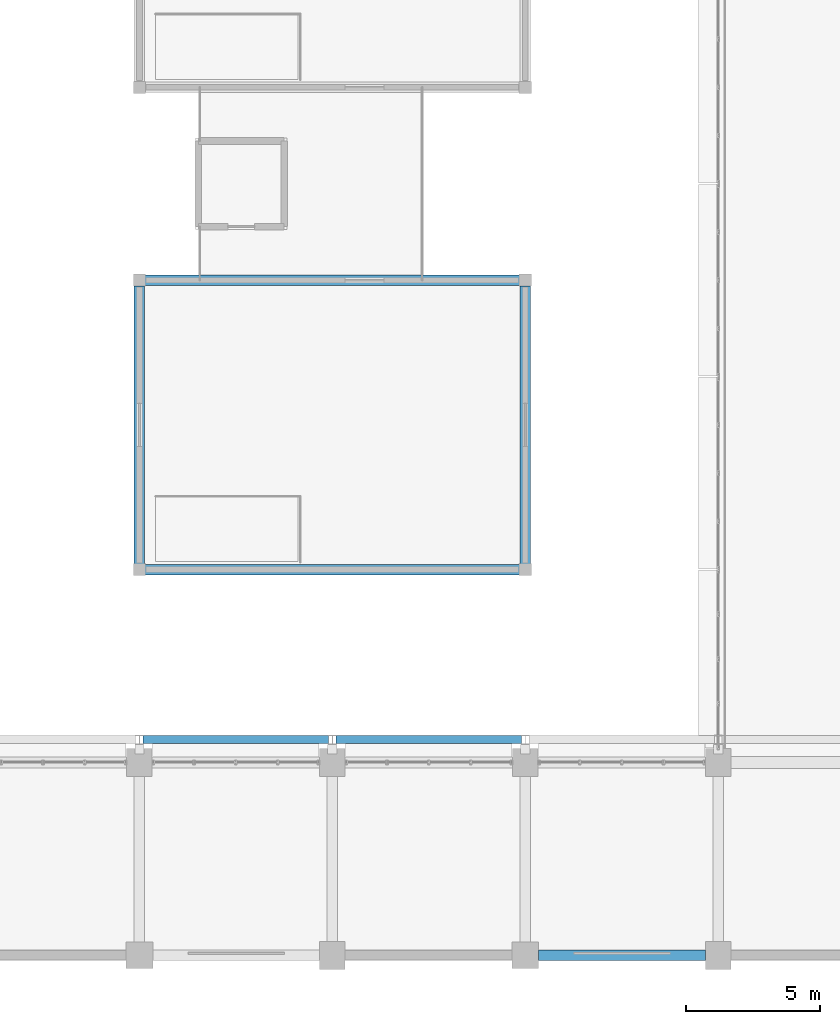
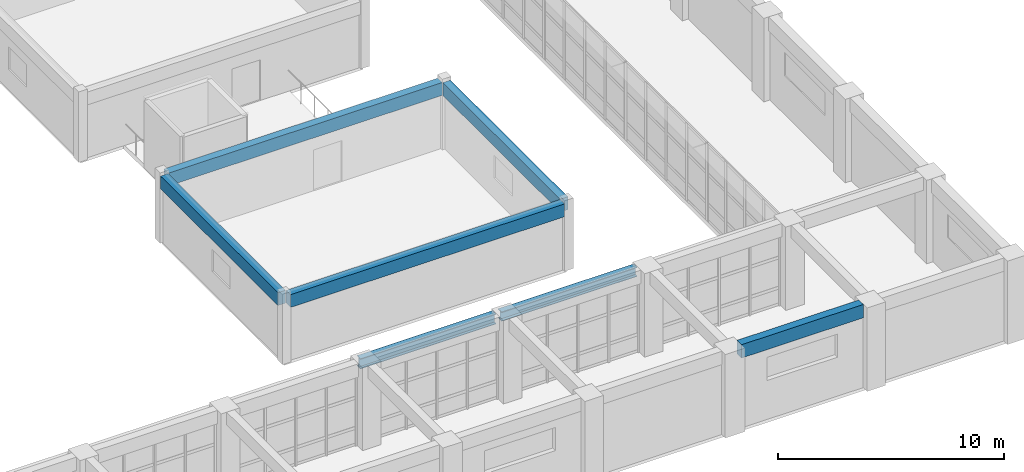
# One storey, part 90 of 171: 7 beams.
"""IFC4 building model written with IfcOpenShell, lengths in metres."""

from ifc_helpers import new_model, si_unit, direction, frame, origin, origin_2d, place, context, subcontext, project, spatial, rectangle, i_section, extrude, material, material_profile, profile_set, type_object, element, save


model = new_model("IFC4")

# Units and contexts
model_context = context("Model", 3, precision=1e-05, world=origin(), true_north=direction((0.0, 1.0)))
body_context = subcontext(model_context, "Body", "Model", "MODEL_VIEW")
ifc_project = project(units=[si_unit("LENGTHUNIT", "METRE"), si_unit("AREAUNIT", "SQUARE_METRE"), si_unit("VOLUMEUNIT", "CUBIC_METRE"), si_unit("PLANEANGLEUNIT", "RADIAN"), si_unit("MASSUNIT", "GRAM", prefix="KILO")], contexts=[model_context])

# Site, building, storey
site_placement = place(None, origin())
site = spatial("IfcSite", under=ifc_project, at=site_placement, CompositionType="ELEMENT")
building_placement = place(site_placement, origin())
building = spatial("IfcBuilding", under=site, at=building_placement, Name="Thalmaran Polytechnic", CompositionType="ELEMENT")
storey_placement = place(building_placement, frame((0.0, 0.0, 5.39990234375)))
storey = spatial("IfcBuildingStorey", under=building, at=storey_placement, Name="L01", CompositionType="ELEMENT", Elevation=5.39990234375)

# Beams
ifc_material_1 = material(Name="Steel S355", Category="steel")
ifc_material_profile_1 = material_profile(ifc_material_1, i_section(OverallWidth=0.300048828125, OverallDepth=0.550048828125, WebThickness=0.014892578125, FlangeThickness=0.029052734375, at=origin_2d()), Name="HEB 550")
ifc_profile_set_1 = profile_set([ifc_material_profile_1], Name="Steel S355")
beam_type_1 = type_object("IfcBeamType", Name="BM-CRN1", PredefinedType="BEAM", material=ifc_profile_set_1)
beam_1_placement = place(storey_placement, frame((144.139892578125, 8.050048828125, 3.72509765625), z_axis=(1.0, 0.0, 0.0), x_axis=(0.0, 1.0, 0.0)))
element("IfcBeam", 1, at=beam_1_placement, inside=storey, type_object=beam_type_1, Name="Workshop Crane Runway Beam Y1-20", PredefinedType="BEAM", context=body_context, shape_type="SweptSolid", body=[
    extrude(i_section(OverallWidth=0.300048828125, OverallDepth=0.550048828125, WebThickness=0.014892578125, FlangeThickness=0.029052734375, at=origin_2d()), origin(), (0.0, 0.0, 1.0), 6.920166015625),
])
ifc_material_profile_2 = material_profile(ifc_material_1, i_section(OverallWidth=0.300048828125, OverallDepth=0.5, WebThickness=0.014404296875, FlangeThickness=0.028076171875, at=origin_2d()), Name="HEB 500")
ifc_profile_set_2 = profile_set([ifc_material_profile_2], Name="Steel S355")
beam_type_2 = type_object("IfcBeamType", Name="BM-CRN2", PredefinedType="BEAM", material=ifc_profile_set_2)
beam_2_placement = place(storey_placement, frame((151.340087890625, 8.050048828125, 3.75), z_axis=(1.0, 0.0, 0.0), x_axis=(0.0, 1.0, 0.0)))
element("IfcBeam", 2, at=beam_2_placement, inside=storey, type_object=beam_type_2, Name="Workshop Crane Runway Beam Y1-21", PredefinedType="BEAM", context=body_context, shape_type="SweptSolid", body=[
    extrude(i_section(OverallWidth=0.300048828125, OverallDepth=0.5, WebThickness=0.014404296875, FlangeThickness=0.028076171875, at=origin_2d()), origin(), (0.0, 0.0, 1.0), 6.919921875),
])
ifc_material_2 = material(Name="Concrete C40/50", Category="concrete")
ifc_material_profile_3 = material_profile(ifc_material_2, rectangle(XDim=0.389892578125, YDim=0.68994140625, at=origin_2d()), Name="RC 390x690")
ifc_profile_set_3 = profile_set([ifc_material_profile_3], Name="Concrete C40/50")
beam_type_3 = type_object("IfcBeamType", Name="BM-RC09", PredefinedType="BEAM", material=ifc_profile_set_3)
for number, where, z_axis, x_axis, name in (
    (3, (144.2099609375, 14.39990234375, 3.267578125), (1.0, 0.0, 0.0), (0.0, 1.0, 0.0), "POD2 Upper Beam X"),
    (4, (144.2099609375, 25.199951171875, 3.267578125), (1.0, 0.0, 0.0), (0.0, 1.0, 0.0), "POD2 Upper Beam X"),
):
    element("IfcBeam", number, at=place(storey_placement, frame(where, z_axis=z_axis, x_axis=x_axis)), inside=storey, type_object=beam_type_3, Name=name, PredefinedType="BEAM", context=body_context, shape_type="SweptSolid", body=[
        extrude(rectangle(XDim=0.389892578125, YDim=0.68994140625, at=origin_2d()), origin(), (0.0, 0.0, 1.0), 13.97998046875),
    ])
for number, where, z_axis, x_axis, name in (
    (5, (144.0, 14.610107421875, 3.267578125), (0.0, 1.0, 0.0), (-1.0, 0.0, 0.0), "POD2 Upper Beam Y"),
    (6, (158.39990234375, 14.610107421875, 3.267578125), (0.0, 1.0, 0.0), (-1.0, 0.0, 0.0), "POD2 Upper Beam Y"),
):
    element("IfcBeam", number, at=place(storey_placement, frame(where, z_axis=z_axis, x_axis=x_axis)), inside=storey, type_object=beam_type_3, Name=name, PredefinedType="BEAM", context=body_context, shape_type="SweptSolid", body=[
        extrude(rectangle(XDim=0.389892578125, YDim=0.68994140625, at=origin_2d()), origin(), (0.0, 0.0, 1.0), 10.3798828125),
    ])
ifc_material_profile_4 = material_profile(ifc_material_2, rectangle(XDim=0.39990234375, YDim=0.719970703125, at=origin_2d()), Name="RC 400x720")
ifc_profile_set_4 = profile_set([ifc_material_profile_4], Name="Concrete C40/50")
beam_type_4 = type_object("IfcBeamType", Name="BM-SP01", PredefinedType="SPANDREL", material=ifc_profile_set_4)
beam_3_placement = place(storey_placement, frame((158.89990234375, 0.0, 4.14013671875), z_axis=(1.0, 0.0, 0.0), x_axis=(0.0, 1.0, 0.0)))
element("IfcBeam", 7, at=beam_3_placement, inside=storey, type_object=beam_type_4, Name="Grid Beam SP01 L01 X(22,0)", PredefinedType="SPANDREL", context=body_context, shape_type="SweptSolid", body=[
    extrude(rectangle(XDim=0.39990234375, YDim=0.719970703125, at=origin_2d()), origin(), (0.0, 0.0, 1.0), 6.22509765625),
])

save(model, "model.ifc")
